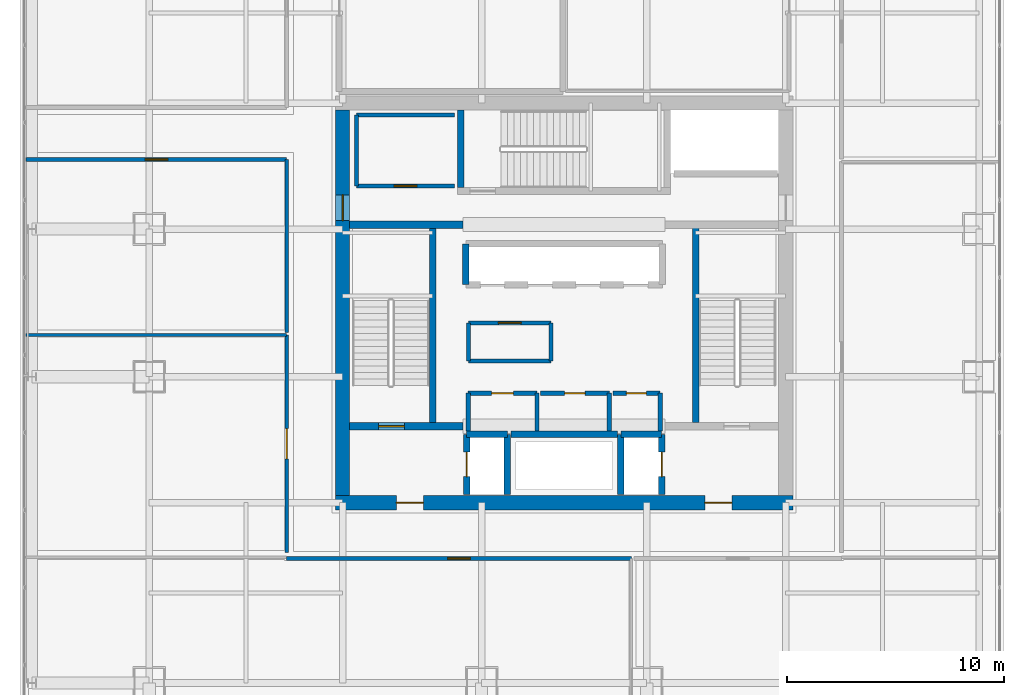
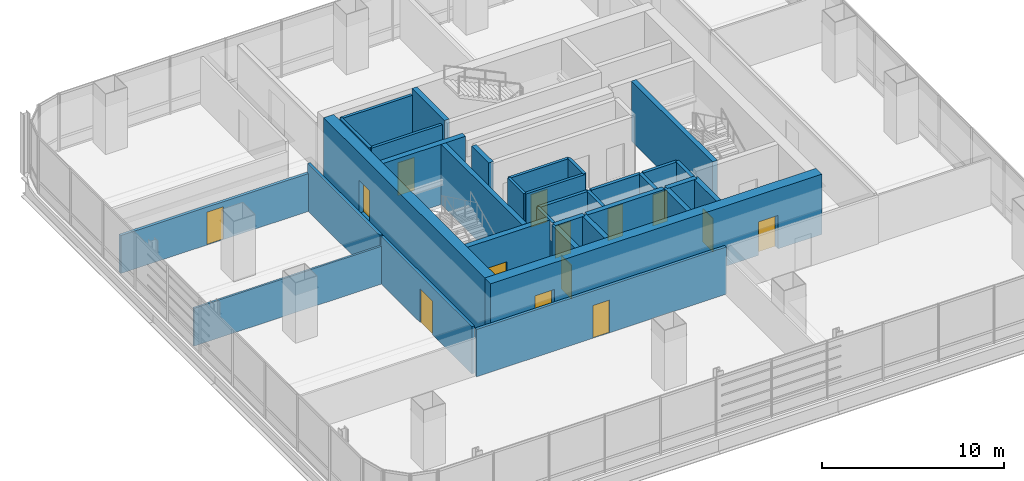
# One storey, part 29 of 36: 34 walls, 14 doors, 14 openings.
"""IFC4 building model written with IfcOpenShell, lengths in metres."""

from ifc_helpers import new_model, si_unit, direction, frame, frame_2d, origin, place, context, subcontext, project, spatial, rectangle, extrude, material, layer, layer_set, type_object, element, fill, save


model = new_model("IFC4")

# Units and contexts
model_context = context("Model", 3, precision=1e-05, world=origin(), true_north=direction((0.0, 1.0)))
body_context = subcontext(model_context, "Body", "Model", "MODEL_VIEW")
ifc_project = project(units=[si_unit("LENGTHUNIT", "METRE"), si_unit("AREAUNIT", "SQUARE_METRE"), si_unit("VOLUMEUNIT", "CUBIC_METRE"), si_unit("PLANEANGLEUNIT", "RADIAN"), si_unit("MASSUNIT", "GRAM", prefix="KILO")], contexts=[model_context])

# Site, building, storey
site_placement = place(None, origin())
site = spatial("IfcSite", under=ifc_project, at=site_placement, CompositionType="ELEMENT")
building_placement = place(site_placement, origin())
building = spatial("IfcBuilding", under=site, at=building_placement, Name="Punatoya Terracotta Tower", CompositionType="ELEMENT")
storey_placement = place(building_placement, frame((0.0, 0.0, 176.25)))
storey = spatial("IfcBuildingStorey", under=building, at=storey_placement, Name="L41", CompositionType="ELEMENT", Elevation=176.25)

# Wall, openings, doors
ifc_material_1 = material(Name="Concrete C60/75", Category="concrete")
ifc_layer_1 = layer(ifc_material_1, 0.64990234375)
ifc_layer_set_1 = layer_set([ifc_layer_1], Name="Concrete C60/75")
wall_type_1 = type_object("IfcWallType", Name="WL-COR-650", PredefinedType="SHEAR", material=ifc_layer_set_1)
wall_1_placement = place(storey_placement, frame((10.52490234375, -9.199951171875, 0.0), z_axis=(0.0, 0.0, 1.0), x_axis=(-1.0, 0.0, 0.0)))
wall_1 = element("IfcWall", 1, at=wall_1_placement, inside=storey, type_object=wall_type_1, Name="L41 Core Shear Wall S", PredefinedType="SHEAR", context=body_context, shape_type="SweptSolid", body=[
    extrude(rectangle(XDim=21.0498046875, YDim=0.64990234375, at=frame_2d((10.52490234375, 0.0))), origin(), (0.0, 0.0, 1.0), 4.050048828125),
])
opening_1_placement = place(wall_1_placement, frame((2.800048828125, 0.0, 0.0)))
opening_1 = element("IfcOpeningElement", 2, at=opening_1_placement, cuts=wall_1, Name="Opening FD-L1", PredefinedType="OPENING", context=body_context, shape_type="SweptSolid", body=[
    extrude(rectangle(XDim=1.25, YDim=2.25, at=frame_2d((0.625, 1.125))), frame((0.0, 0.3349609375, 0.0), z_axis=(0.0, -1.0, 0.0), x_axis=(1.0, 0.0, 0.0)), (0.0, 0.0, 1.0), 0.669921875),
])
opening_2_placement = place(wall_1_placement, frame((17.0, 0.0, 0.0)))
opening_2 = element("IfcOpeningElement", 3, at=opening_2_placement, cuts=wall_1, Name="Opening FD-L1", PredefinedType="OPENING", context=body_context, shape_type="SweptSolid", body=[
    extrude(rectangle(XDim=1.25, YDim=2.25, at=frame_2d((0.625, 1.125))), frame((0.0, 0.3349609375, 0.0), z_axis=(0.0, -1.0, 0.0), x_axis=(1.0, 0.0, 0.0)), (0.0, 0.0, 1.0), 0.669921875),
])
ifc_material_2 = material(Name="Galvanised Steel Smokeproof Fire Door", Category="steel")
door_type_1 = type_object("IfcDoorType", Name="DR-FFL-1250", OperationType="NOTDEFINED", PredefinedType="DOOR", material=ifc_material_2)
door_1_placement = place(opening_1_placement, origin())
door_1 = element("IfcDoor", 4, at=door_1_placement, inside=storey, type_object=door_type_1, Name="L41 East Firefighting Lobby Corridor Fire Door", OperationType="SINGLE_SWING_LEFT", OverallHeight=2.25, OverallWidth=1.25, PredefinedType="DOOR", context=body_context, shape_type="SweptSolid", body=[
    extrude(rectangle(XDim=1.25, YDim=2.25, at=frame_2d((0.625, 1.125))), frame((0.0, 0.02490234375, 0.0), z_axis=(0.0, -1.0, 0.0), x_axis=(1.0, 0.0, 0.0)), (0.0, 0.0, 1.0), 0.050048828125),
])
fill(opening_1, door_1)
door_2_placement = place(opening_2_placement, origin())
door_2 = element("IfcDoor", 5, at=door_2_placement, inside=storey, type_object=door_type_1, Name="L41 West Firefighting Lobby Corridor Fire Door", OperationType="SINGLE_SWING_RIGHT", OverallHeight=2.25, OverallWidth=1.25, PredefinedType="DOOR", context=body_context, shape_type="SweptSolid", body=[
    extrude(rectangle(XDim=1.25, YDim=2.25, at=frame_2d((0.625, 1.125))), frame((0.0, 0.02490234375, 0.0), z_axis=(0.0, -1.0, 0.0), x_axis=(1.0, 0.0, 0.0)), (0.0, 0.0, 1.0), 0.050048828125),
])
fill(opening_2, door_2)

# Wall, opening, door
wall_2_placement = place(storey_placement, frame((-10.199951171875, -8.875, 0.0), z_axis=(0.0, 0.0, 1.0), x_axis=(0.0, 1.0, 0.0)))
wall_2 = element("IfcWall", 6, at=wall_2_placement, inside=storey, type_object=wall_type_1, Name="L41 Core Shear Wall W", PredefinedType="SHEAR", context=body_context, shape_type="SweptSolid", body=[
    extrude(rectangle(XDim=17.75, YDim=0.64990234375, at=frame_2d((8.875, 0.0))), origin(), (0.0, 0.0, 1.0), 4.050048828125),
])
opening_3_placement = place(wall_2_placement, frame((12.6650390625, 0.0, 0.0)))
opening_3 = element("IfcOpeningElement", 7, at=opening_3_placement, cuts=wall_2, Name="Opening SD-01", PredefinedType="OPENING", context=body_context, shape_type="SweptSolid", body=[
    extrude(rectangle(XDim=1.179931640625, YDim=2.199951171875, at=frame_2d((0.58984375, 1.10009765625))), frame((0.0, 0.3349609375, 0.0), z_axis=(0.0, -1.0, 0.0), x_axis=(1.0, 0.0, 0.0)), (0.0, 0.0, 1.0), 0.669921875),
])
ifc_material_3 = material(Name="Galvanised Steel Pressurized Stair Fire Door", Category="steel")
door_type_2 = type_object("IfcDoorType", Name="DR-STR-1180", OperationType="NOTDEFINED", PredefinedType="DOOR", material=ifc_material_3)
door_3_placement = place(opening_3_placement, origin())
door_3 = element("IfcDoor", 8, at=door_3_placement, inside=storey, type_object=door_type_2, Name="L41 Central Lift Lobby West Fire Door", OperationType="SINGLE_SWING_LEFT", OverallHeight=2.199951171875, OverallWidth=1.179931640625, PredefinedType="DOOR", context=body_context, shape_type="SweptSolid", body=[
    extrude(rectangle(XDim=1.179931640625, YDim=2.199951171875, at=frame_2d((0.58984375, 1.10009765625))), frame((0.0, 0.02490234375, 0.0), z_axis=(0.0, -1.0, 0.0), x_axis=(1.0, 0.0, 0.0)), (0.0, 0.0, 1.0), 0.050048828125),
])
fill(opening_3, door_3)

# Wall
ifc_material_4 = material(Name="Gypsum Fireboard + Steel Stud", Category="steel")
ifc_layer_2 = layer(ifc_material_4, 0.179931640625)
ifc_layer_set_2 = layer_set([ifc_layer_2], Name="Gypsum Fireboard + Steel Stud")
wall_type_2 = type_object("IfcWallType", Name="WL-CORR-180", PredefinedType="PARTITIONING", material=ifc_layer_set_2)
wall_3_placement = place(storey_placement, frame((-0.60009765625, -2.679931640625, 0.0), z_axis=(0.0, 0.0, 1.0), x_axis=(0.0, 1.0, 0.0)))
element("IfcWall", 9, at=wall_3_placement, inside=storey, type_object=wall_type_2, Name="L41 West Core Archive Office Partition 08", PredefinedType="PARTITIONING", context=body_context, shape_type="SweptSolid", body=[
    extrude(rectangle(XDim=1.760009765625, YDim=0.179931640625, at=frame_2d((0.8798828125, 0.0))), origin(), (0.0, 0.0, 1.0), 3.830078125),
])

# Wall, opening, door
wall_4_placement = place(storey_placement, frame((-0.60009765625, -0.919921875, 0.0), z_axis=(0.0, 0.0, 1.0), x_axis=(-1.0, 0.0, 0.0)))
wall_4 = element("IfcWall", 10, at=wall_4_placement, inside=storey, type_object=wall_type_2, Name="L41 West Core Archive Office Partition 09", PredefinedType="PARTITIONING", context=body_context, shape_type="SweptSolid", body=[
    extrude(rectangle(XDim=3.7998046875, YDim=0.179931640625, at=frame_2d((1.89990234375, 0.0))), origin(), (0.0, 0.0, 1.0), 3.830078125),
])
opening_4_placement = place(wall_4_placement, frame((1.375, 0.0, 0.0)))
opening_4 = element("IfcOpeningElement", 11, at=opening_4_placement, cuts=wall_4, Name="Opening OD-01", PredefinedType="OPENING", context=body_context, shape_type="SweptSolid", body=[
    extrude(rectangle(XDim=1.050048828125, YDim=2.199951171875, at=frame_2d((0.52490234375, 1.10009765625))), frame((0.0, 0.099853515625, 0.0), z_axis=(0.0, -1.0, 0.0), x_axis=(1.0, 0.0, 0.0)), (0.0, 0.0, 1.0), 0.199951171875),
])
ifc_material_5 = material(Name="Bengal Teak Solid-Core Leaf")
door_type_3 = type_object("IfcDoorType", Name="DR-OFF-1050", OperationType="NOTDEFINED", PredefinedType="DOOR", material=ifc_material_5)
door_4_placement = place(opening_4_placement, origin())
door_4 = element("IfcDoor", 12, at=door_4_placement, inside=storey, type_object=door_type_3, Name="L41 West Archive Office Door", OperationType="SINGLE_SWING_LEFT", OverallHeight=2.199951171875, OverallWidth=1.050048828125, PredefinedType="DOOR", context=body_context, shape_type="SweptSolid", body=[
    extrude(rectangle(XDim=1.050048828125, YDim=2.199951171875, at=frame_2d((0.52490234375, 1.10009765625))), frame((0.0, 0.02490234375, 0.0), z_axis=(0.0, -1.0, 0.0), x_axis=(1.0, 0.0, 0.0)), (0.0, 0.0, 1.0), 0.050048828125),
])
fill(opening_4, door_4)

# Walls
wall_5_placement = place(storey_placement, frame((-4.39990234375, -0.919921875, 0.0), z_axis=(0.0, 0.0, 1.0), x_axis=(0.0, -1.0, 0.0)))
element("IfcWall", 13, at=wall_5_placement, inside=storey, type_object=wall_type_2, Name="L41 West Core Archive Office Partition 10", PredefinedType="PARTITIONING", context=body_context, shape_type="SweptSolid", body=[
    extrude(rectangle(XDim=1.760009765625, YDim=0.179931640625, at=frame_2d((0.8798828125, 0.0))), origin(), (0.0, 0.0, 1.0), 3.830078125),
])
wall_6_placement = place(storey_placement, frame((-4.39990234375, -2.679931640625, 0.0), z_axis=(0.0, 0.0, 1.0), x_axis=(1.0, 0.0, 0.0)))
element("IfcWall", 14, at=wall_6_placement, inside=storey, type_object=wall_type_2, Name="L41 West Core Archive Office Partition 11", PredefinedType="PARTITIONING", context=body_context, shape_type="SweptSolid", body=[
    extrude(rectangle(XDim=3.7998046875, YDim=0.179931640625, at=frame_2d((1.89990234375, 0.0))), origin(), (0.0, 0.0, 1.0), 3.830078125),
])
wall_7_placement = place(storey_placement, frame((-5.050048828125, 8.64990234375, 0.0), z_axis=(0.0, 0.0, 1.0), x_axis=(-1.0, 0.0, 0.0)))
element("IfcWall", 15, at=wall_7_placement, inside=storey, type_object=wall_type_2, Name="L41 West Core Records Office Partition 12", PredefinedType="PARTITIONING", context=body_context, shape_type="SweptSolid", body=[
    extrude(rectangle(XDim=4.5, YDim=0.179931640625, at=frame_2d((2.25, 0.0))), origin(), (0.0, 0.0, 1.0), 3.830078125),
])
wall_8_placement = place(storey_placement, frame((-9.550048828125, 8.64990234375, 0.0), z_axis=(0.0, 0.0, 1.0), x_axis=(0.0, -1.0, 0.0)))
element("IfcWall", 16, at=wall_8_placement, inside=storey, type_object=wall_type_2, Name="L41 West Core Records Office Partition 13", PredefinedType="PARTITIONING", context=body_context, shape_type="SweptSolid", body=[
    extrude(rectangle(XDim=3.27001953125, YDim=0.179931640625, at=frame_2d((1.635009765625, 0.0))), origin(), (0.0, 0.0, 1.0), 3.830078125),
])

# Wall, opening, door
wall_9_placement = place(storey_placement, frame((-9.550048828125, 5.3798828125, 0.0), z_axis=(0.0, 0.0, 1.0), x_axis=(1.0, 0.0, 0.0)))
wall_9 = element("IfcWall", 17, at=wall_9_placement, inside=storey, type_object=wall_type_2, Name="L41 West Core Records Office Partition 14", PredefinedType="PARTITIONING", context=body_context, shape_type="SweptSolid", body=[
    extrude(rectangle(XDim=4.5, YDim=0.179931640625, at=frame_2d((2.25, 0.0))), origin(), (0.0, 0.0, 1.0), 3.830078125),
])
opening_5_placement = place(wall_9_placement, frame((1.72509765625, 0.0, 0.0)))
opening_5 = element("IfcOpeningElement", 18, at=opening_5_placement, cuts=wall_9, Name="Opening OD-01", PredefinedType="OPENING", context=body_context, shape_type="SweptSolid", body=[
    extrude(rectangle(XDim=1.050048828125, YDim=2.199951171875, at=frame_2d((0.52490234375, 1.10009765625))), frame((0.0, 0.099853515625, 0.0), z_axis=(0.0, -1.0, 0.0), x_axis=(1.0, 0.0, 0.0)), (0.0, 0.0, 1.0), 0.199951171875),
])
door_5_placement = place(opening_5_placement, origin())
door_5 = element("IfcDoor", 19, at=door_5_placement, inside=storey, type_object=door_type_3, Name="L41 West Records Office Door", OperationType="SINGLE_SWING_RIGHT", OverallHeight=2.199951171875, OverallWidth=1.050048828125, PredefinedType="DOOR", context=body_context, shape_type="SweptSolid", body=[
    extrude(rectangle(XDim=1.050048828125, YDim=2.199951171875, at=frame_2d((0.52490234375, 1.10009765625))), frame((0.0, 0.02490234375, 0.0), z_axis=(0.0, -1.0, 0.0), x_axis=(1.0, 0.0, 0.0)), (0.0, 0.0, 1.0), 0.050048828125),
])
fill(opening_5, door_5)

wall_10_placement = place(storey_placement, frame((-12.77001953125, -11.77001953125, 0.0), z_axis=(0.0, 0.0, 1.0), x_axis=(1.0, 0.0, 0.0)))
wall_10 = element("IfcWall", 20, at=wall_10_placement, inside=storey, type_object=wall_type_2, Name="L41 Staff Wellness Studio Partition 16", PredefinedType="PARTITIONING", context=body_context, shape_type="SweptSolid", body=[
    extrude(rectangle(XDim=15.865966796875, YDim=0.179931640625, at=frame_2d((7.93310546875, 0.0))), origin(), (0.0, 0.0, 1.0), 3.174072265625),
])
opening_6_placement = place(wall_10_placement, frame((7.407958984375, 0.0, 0.0)))
opening_6 = element("IfcOpeningElement", 21, at=opening_6_placement, cuts=wall_10, Name="Opening OD-01", PredefinedType="OPENING", context=body_context, shape_type="SweptSolid", body=[
    extrude(rectangle(XDim=1.050048828125, YDim=2.199951171875, at=frame_2d((0.52490234375, 1.10009765625))), frame((0.0, 0.099853515625, 0.0), z_axis=(0.0, -1.0, 0.0), x_axis=(1.0, 0.0, 0.0)), (0.0, 0.0, 1.0), 0.199951171875),
])
door_6_placement = place(opening_6_placement, origin())
door_6 = element("IfcDoor", 22, at=door_6_placement, inside=storey, type_object=door_type_3, Name="L41 Staff Wellness Studio Door", OperationType="SINGLE_SWING_LEFT", OverallHeight=2.199951171875, OverallWidth=1.050048828125, PredefinedType="DOOR", context=body_context, shape_type="SweptSolid", body=[
    extrude(rectangle(XDim=1.050048828125, YDim=2.199951171875, at=frame_2d((0.52490234375, 1.10009765625))), frame((0.0, 0.02490234375, 0.0), z_axis=(0.0, -1.0, 0.0), x_axis=(1.0, 0.0, 0.0)), (0.0, 0.0, 1.0), 0.050048828125),
])
fill(opening_6, door_6)

wall_11_placement = place(storey_placement, frame((-12.77001953125, -1.47900390625, 0.0), z_axis=(0.0, 0.0, 1.0), x_axis=(0.0, -1.0, 0.0)))
wall_11 = element("IfcWall", 23, at=wall_11_placement, inside=storey, type_object=wall_type_2, Name="L41 Open-Plan Cultural History Classroom Partition 21", PredefinedType="PARTITIONING", context=body_context, shape_type="SweptSolid", body=[
    extrude(rectangle(XDim=10.010986328125, YDim=0.179931640625, at=frame_2d((5.00537109375, 0.0))), origin(), (0.0, 0.0, 1.0), 3.174072265625),
])
opening_7_placement = place(wall_11_placement, frame((4.305419921875, 0.0, 0.0)))
opening_7 = element("IfcOpeningElement", 24, at=opening_7_placement, cuts=wall_11, Name="Opening BD-01", PredefinedType="OPENING", context=body_context, shape_type="SweptSolid", body=[
    extrude(rectangle(XDim=1.39990234375, YDim=2.25, at=frame_2d((0.699951171875, 1.125))), frame((0.0, 0.099853515625, 0.0), z_axis=(0.0, -1.0, 0.0), x_axis=(1.0, 0.0, 0.0)), (0.0, 0.0, 1.0), 0.199951171875),
])
ifc_material_6 = material(Name="Bengal Teak Acoustic Leaf")
door_type_4 = type_object("IfcDoorType", Name="DR-BRD-1400", OperationType="NOTDEFINED", PredefinedType="DOOR", material=ifc_material_6)
door_7_placement = place(opening_7_placement, origin())
door_7 = element("IfcDoor", 25, at=door_7_placement, inside=storey, type_object=door_type_4, Name="L41 Open-Plan Cultural History Classroom Door", OperationType="SINGLE_SWING_LEFT", OverallHeight=2.25, OverallWidth=1.39990234375, PredefinedType="DOOR", context=body_context, shape_type="SweptSolid", body=[
    extrude(rectangle(XDim=1.39990234375, YDim=2.25, at=frame_2d((0.699951171875, 1.125))), frame((0.0, 0.02490234375, 0.0), z_axis=(0.0, -1.0, 0.0), x_axis=(1.0, 0.0, 0.0)), (0.0, 0.0, 1.0), 0.050048828125),
])
fill(opening_7, door_7)

wall_12_placement = place(storey_placement, frame((-24.77001953125, 6.60009765625, 0.0), z_axis=(0.0, 0.0, 1.0), x_axis=(1.0, 0.0, 0.0)))
wall_12 = element("IfcWall", 26, at=wall_12_placement, inside=storey, type_object=wall_type_2, Name="L41 Open-Plan Nutrition Tea Pantry Partition 24", PredefinedType="PARTITIONING", context=body_context, shape_type="SweptSolid", body=[
    extrude(rectangle(XDim=12.0, YDim=0.179931640625, at=frame_2d((6.0, 0.0))), origin(), (0.0, 0.0, 1.0), 2.5439453125),
])
opening_8_placement = place(wall_12_placement, frame((5.47509765625, 0.0, 0.0)))
opening_8 = element("IfcOpeningElement", 27, at=opening_8_placement, cuts=wall_12, Name="Opening OD-01", PredefinedType="OPENING", context=body_context, shape_type="SweptSolid", body=[
    extrude(rectangle(XDim=1.050048828125, YDim=2.199951171875, at=frame_2d((0.52490234375, 1.10009765625))), frame((0.0, 0.099853515625, 0.0), z_axis=(0.0, -1.0, 0.0), x_axis=(1.0, 0.0, 0.0)), (0.0, 0.0, 1.0), 0.199951171875),
])
door_8_placement = place(opening_8_placement, origin())
door_8 = element("IfcDoor", 28, at=door_8_placement, inside=storey, type_object=door_type_3, Name="L41 Open-Plan Nutrition Tea Pantry Door", OperationType="SINGLE_SWING_LEFT", OverallHeight=2.199951171875, OverallWidth=1.050048828125, PredefinedType="DOOR", context=body_context, shape_type="SweptSolid", body=[
    extrude(rectangle(XDim=1.050048828125, YDim=2.199951171875, at=frame_2d((0.52490234375, 1.10009765625))), frame((0.0, 0.02490234375, 0.0), z_axis=(0.0, -1.0, 0.0), x_axis=(1.0, 0.0, 0.0)), (0.0, 0.0, 1.0), 0.050048828125),
])
fill(opening_8, door_8)

# Walls
wall_13_placement = place(storey_placement, frame((-12.77001953125, 6.60009765625, 0.0), z_axis=(0.0, 0.0, 1.0), x_axis=(0.0, -1.0, 0.0)))
element("IfcWall", 29, at=wall_13_placement, inside=storey, type_object=wall_type_2, Name="L41 Open-Plan Nutrition Tea Pantry Partition 25", PredefinedType="PARTITIONING", context=body_context, shape_type="SweptSolid", body=[
    extrude(rectangle(XDim=7.958984375, YDim=0.179931640625, at=frame_2d((3.9794921875, 0.0))), origin(), (0.0, 0.0, 1.0), 3.174072265625),
])
ifc_material_7 = material(Name="Concrete C40/50", Category="concrete")
ifc_layer_3 = layer(ifc_material_7, 0.199951171875)
ifc_layer_set_3 = layer_set([ifc_layer_3], Name="Concrete C40/50")
wall_type_3 = type_object("IfcWallType", Name="WL-INT-200", PredefinedType="SOLIDWALL", material=ifc_layer_set_3)
wall_14_placement = place(storey_placement, frame((-1.25, -5.89990234375, 0.0), z_axis=(0.0, 0.0, 1.0), x_axis=(0.0, 1.0, 0.0)))
element("IfcWall", 30, at=wall_14_placement, inside=storey, type_object=wall_type_3, Name="L41 Accessible Universal Washroom Partition 01", PredefinedType="SOLIDWALL", context=body_context, shape_type="SweptSolid", body=[
    extrude(rectangle(XDim=1.739990234375, YDim=0.199951171875, at=frame_2d((0.8701171875, 0.0))), origin(), (0.0, 0.0, 1.0), 3.830078125),
])

# Wall, opening, door
wall_15_placement = place(storey_placement, frame((-1.25, -4.159912109375, 0.0), z_axis=(0.0, 0.0, 1.0), x_axis=(-1.0, 0.0, 0.0)))
wall_15 = element("IfcWall", 31, at=wall_15_placement, inside=storey, type_object=wall_type_3, Name="L41 Accessible Universal Washroom Partition 02", PredefinedType="SOLIDWALL", context=body_context, shape_type="SweptSolid", body=[
    extrude(rectangle(XDim=3.169921875, YDim=0.199951171875, at=frame_2d((1.5849609375, 0.0))), origin(), (0.0, 0.0, 1.0), 3.830078125),
])
opening_9_placement = place(wall_15_placement, frame((1.0849609375, 0.0, 0.0)))
opening_9 = element("IfcOpeningElement", 32, at=opening_9_placement, cuts=wall_15, Name="Opening AWD-1", PredefinedType="OPENING", context=body_context, shape_type="SweptSolid", body=[
    extrude(rectangle(XDim=1.0, YDim=2.14990234375, at=frame_2d((0.5, 1.074951171875))), frame((0.0, 0.10986328125, 0.0), z_axis=(0.0, -1.0, 0.0), x_axis=(1.0, 0.0, 0.0)), (0.0, 0.0, 1.0), 0.219970703125),
])
ifc_material_8 = material(Name="Bengal Teak Accessible WC Leaf")
door_type_5 = type_object("IfcDoorType", Name="DR-ACC-1000", OperationType="NOTDEFINED", PredefinedType="DOOR", material=ifc_material_8)
door_9_placement = place(opening_9_placement, origin())
door_9 = element("IfcDoor", 33, at=door_9_placement, inside=storey, type_object=door_type_5, Name="L41 Accessible Universal Washroom Door", OperationType="SINGLE_SWING_RIGHT", OverallHeight=2.14990234375, OverallWidth=1.0, PredefinedType="DOOR", context=body_context, shape_type="SweptSolid", body=[
    extrude(rectangle(XDim=1.0, YDim=2.14990234375, at=frame_2d((0.5, 1.074951171875))), frame((0.0, 0.02490234375, 0.0), z_axis=(0.0, -1.0, 0.0), x_axis=(1.0, 0.0, 0.0)), (0.0, 0.0, 1.0), 0.050048828125),
])
fill(opening_9, door_9)

# Walls
for number, where, z_axis, x_axis, name in (
    (34, (-4.419921875, -4.159912109375, 0.0), (0.0, 0.0, 1.0), (0.0, -1.0, 0.0), "L41 Accessible Universal Washroom Partition 03"),
    (35, (2.080078125, -5.89990234375, 0.0), (0.0, 0.0, 1.0), (0.0, 1.0, 0.0), "L41 All-Gender Universal Washroom Partition 04"),
):
    element("IfcWall", number, at=place(storey_placement, frame(where, z_axis=z_axis, x_axis=x_axis)), inside=storey, type_object=wall_type_3, Name=name, PredefinedType="SOLIDWALL", context=body_context, shape_type="SweptSolid", body=[
        extrude(rectangle(XDim=1.739990234375, YDim=0.199951171875, at=frame_2d((0.8701171875, 0.0))), origin(), (0.0, 0.0, 1.0), 3.830078125),
    ])

# Wall, opening, door
wall_16_placement = place(storey_placement, frame((2.080078125, -4.159912109375, 0.0), z_axis=(0.0, 0.0, 1.0), x_axis=(-1.0, 0.0, 0.0)))
wall_16 = element("IfcWall", 36, at=wall_16_placement, inside=storey, type_object=wall_type_3, Name="L41 All-Gender Universal Washroom Partition 05", PredefinedType="SOLIDWALL", context=body_context, shape_type="SweptSolid", body=[
    extrude(rectangle(XDim=3.170166015625, YDim=0.199951171875, at=frame_2d((1.5849609375, 0.0))), origin(), (0.0, 0.0, 1.0), 3.830078125),
])
opening_10_placement = place(wall_16_placement, frame((1.110107421875, 0.0, 0.0)))
opening_10 = element("IfcOpeningElement", 37, at=opening_10_placement, cuts=wall_16, Name="Opening WD-01", PredefinedType="OPENING", context=body_context, shape_type="SweptSolid", body=[
    extrude(rectangle(XDim=0.949951171875, YDim=2.14990234375, at=frame_2d((0.47509765625, 1.074951171875))), frame((0.0, 0.10986328125, 0.0), z_axis=(0.0, -1.0, 0.0), x_axis=(1.0, 0.0, 0.0)), (0.0, 0.0, 1.0), 0.219970703125),
])
ifc_material_9 = material(Name="Moisture-Resistant Laminate Timber Leaf", Category="wood")
door_type_6 = type_object("IfcDoorType", Name="DR-WC-950", OperationType="NOTDEFINED", PredefinedType="DOOR", material=ifc_material_9)
door_10_placement = place(opening_10_placement, origin())
door_10 = element("IfcDoor", 38, at=door_10_placement, inside=storey, type_object=door_type_6, Name="L41 All-Gender Universal Washroom Door", OperationType="SINGLE_SWING_LEFT", OverallHeight=2.14990234375, OverallWidth=0.949951171875, PredefinedType="DOOR", context=body_context, shape_type="SweptSolid", body=[
    extrude(rectangle(XDim=0.949951171875, YDim=2.14990234375, at=frame_2d((0.47509765625, 1.074951171875))), frame((0.0, 0.02490234375, 0.0), z_axis=(0.0, -1.0, 0.0), x_axis=(1.0, 0.0, 0.0)), (0.0, 0.0, 1.0), 0.050048828125),
])
fill(opening_10, door_10)

# Wall
wall_17_placement = place(storey_placement, frame((4.419921875, -5.89990234375, 0.0), z_axis=(0.0, 0.0, 1.0), x_axis=(0.0, 1.0, 0.0)))
element("IfcWall", 39, at=wall_17_placement, inside=storey, type_object=wall_type_3, Name="L41 Core Electrical Switchgear Room Partition 06", PredefinedType="SOLIDWALL", context=body_context, shape_type="SweptSolid", body=[
    extrude(rectangle(XDim=1.739990234375, YDim=0.199951171875, at=frame_2d((0.8701171875, 0.0))), origin(), (0.0, 0.0, 1.0), 3.830078125),
])

# Wall, opening, door
wall_18_placement = place(storey_placement, frame((4.419921875, -4.159912109375, 0.0), z_axis=(0.0, 0.0, 1.0), x_axis=(-1.0, 0.0, 0.0)))
wall_18 = element("IfcWall", 40, at=wall_18_placement, inside=storey, type_object=wall_type_3, Name="L41 Core Electrical Switchgear Room Partition 07", PredefinedType="SOLIDWALL", context=body_context, shape_type="SweptSolid", body=[
    extrude(rectangle(XDim=2.179931640625, YDim=0.199951171875, at=frame_2d((1.08984375, 0.0))), origin(), (0.0, 0.0, 1.0), 3.830078125),
])
opening_11_placement = place(wall_18_placement, frame((0.6298828125, 0.0, 0.0)))
opening_11 = element("IfcOpeningElement", 41, at=opening_11_placement, cuts=wall_18, Name="Opening FD-R1", PredefinedType="OPENING", context=body_context, shape_type="SweptSolid", body=[
    extrude(rectangle(XDim=0.919921875, YDim=2.10009765625, at=frame_2d((0.4599609375, 1.050048828125))), frame((0.0, 0.10986328125, 0.0), z_axis=(0.0, -1.0, 0.0), x_axis=(1.0, 0.0, 0.0)), (0.0, 0.0, 1.0), 0.219970703125),
])
ifc_material_10 = material(Name="Galvanised Steel Riser Fire Access Door", Category="steel")
door_type_7 = type_object("IfcDoorType", Name="DR-RSR-920", OperationType="NOTDEFINED", PredefinedType="DOOR", material=ifc_material_10)
door_11_placement = place(opening_11_placement, origin())
door_11 = element("IfcDoor", 42, at=door_11_placement, inside=storey, type_object=door_type_7, Name="L41 Core Electrical Switchgear Room Fire Door", OperationType="SINGLE_SWING_RIGHT", OverallHeight=2.10009765625, OverallWidth=0.919921875, PredefinedType="DOOR", context=body_context, shape_type="SweptSolid", body=[
    extrude(rectangle(XDim=0.919921875, YDim=2.10009765625, at=frame_2d((0.4599609375, 1.050048828125))), frame((0.0, 0.02490234375, 0.0), z_axis=(0.0, -1.0, 0.0), x_axis=(1.0, 0.0, 0.0)), (0.0, 0.0, 1.0), 0.050048828125),
])
fill(opening_11, door_11)

# Walls
ifc_material_11 = material(Name="Gypsum Partition + Steel Stud", Category="steel")
ifc_layer_4 = layer(ifc_material_11, 0.1201171875)
ifc_layer_set_4 = layer_set([ifc_layer_4], Name="Gypsum Partition + Steel Stud")
wall_type_4 = type_object("IfcWallType", Name="WL-OFF-120", PredefinedType="PARTITIONING", material=ifc_layer_set_4)
wall_19_placement = place(storey_placement, frame((-24.77001953125, -1.47900390625, 0.0), z_axis=(0.0, 0.0, 1.0), x_axis=(1.0, 0.0, 0.0)))
element("IfcWall", 43, at=wall_19_placement, inside=storey, type_object=wall_type_4, Name="L41 Open-Plan Cultural History Classroom Partition 20", PredefinedType="PARTITIONING", context=body_context, shape_type="SweptSolid", body=[
    extrude(rectangle(XDim=12.0, YDim=0.1201171875, at=frame_2d((6.0, 0.0))), origin(), (0.0, 0.0, 1.0), 2.5439453125),
])
ifc_layer_5 = layer(ifc_material_7, 0.300048828125)
ifc_layer_set_5 = layer_set([ifc_layer_5], Name="Concrete C40/50")
wall_type_5 = type_object("IfcWallType", Name="WL-SHF-300", PredefinedType="SOLIDWALL", material=ifc_layer_set_5)
for number, where, z_axis, x_axis, name in (
    (44, (-6.050048828125, -5.5, 0.0), (0.0, 0.0, 1.0), (0.0, 1.0, 0.0), "L41 Structural Stair Shaft Wall SW-ST1-E"),
    (45, (6.050048828125, 3.449951171875, 0.0), (0.0, 0.0, 1.0), (0.0, -1.0, 0.0), "L41 Structural Stair Shaft Wall SW-ST2-W"),
):
    element("IfcWall", number, at=place(storey_placement, frame(where, z_axis=z_axis, x_axis=x_axis)), inside=storey, type_object=wall_type_5, Name=name, PredefinedType="SOLIDWALL", context=body_context, shape_type="SweptSolid", body=[
        extrude(rectangle(XDim=8.949951171875, YDim=0.300048828125, at=frame_2d((4.47509765625, 0.0))), origin(), (0.0, 0.0, 1.0), 4.050048828125),
    ])
wall_20_placement = place(storey_placement, frame((-4.75, 5.300048828125, 0.0), z_axis=(0.0, 0.0, 1.0), x_axis=(0.0, 1.0, 0.0)))
element("IfcWall", 46, at=wall_20_placement, inside=storey, type_object=wall_type_5, Name="L41 Structural Stair Shaft Wall SW-ST3-W", PredefinedType="SOLIDWALL", context=body_context, shape_type="SweptSolid", body=[
    extrude(rectangle(XDim=3.574951171875, YDim=0.300048828125, at=frame_2d((1.78759765625, 0.0))), origin(), (0.0, 0.0, 1.0), 4.050048828125),
])

# Wall, opening, door
wall_21_placement = place(storey_placement, frame((-4.489990234375, -8.820068359375, 0.0), z_axis=(0.0, 0.0, 1.0), x_axis=(0.0, 1.0, 0.0)))
wall_21 = element("IfcWall", 47, at=wall_21_placement, inside=storey, type_object=wall_type_5, Name="L41 FFL-1 Front Hoistway Wall", PredefinedType="SOLIDWALL", context=body_context, shape_type="SweptSolid", body=[
    extrude(rectangle(XDim=2.77001953125, YDim=0.300048828125, at=frame_2d((1.385009765625, 0.0))), origin(), (0.0, 0.0, 1.0), 3.830078125),
])
opening_12_placement = place(wall_21_placement, frame((0.824951171875, 0.0, 0.0)))
opening_12 = element("IfcOpeningElement", 48, at=opening_12_placement, cuts=wall_21, Name="Opening LD-02", PredefinedType="OPENING", context=body_context, shape_type="SweptSolid", body=[
    extrude(rectangle(XDim=1.1201171875, YDim=2.25, at=frame_2d((0.56005859375, 1.125))), frame((0.0, 0.159912109375, 0.0), z_axis=(0.0, -1.0, 0.0), x_axis=(1.0, 0.0, 0.0)), (0.0, 0.0, 1.0), 0.320068359375),
])
ifc_material_12 = material(Name="Stainless Steel Lift Landing Door", Category="steel")
door_type_8 = type_object("IfcDoorType", Name="DR-LND-1120", OperationType="NOTDEFINED", PredefinedType="DOOR", material=ifc_material_12)
door_12_placement = place(opening_12_placement, origin())
door_12 = element("IfcDoor", 49, at=door_12_placement, inside=storey, type_object=door_type_8, Name="L41 Firefighting Lift FFL-1 Sliding Landing Door", OperationType="SLIDING_TO_LEFT", OverallHeight=2.25, OverallWidth=1.1201171875, PredefinedType="DOOR", context=body_context, shape_type="SweptSolid", body=[
    extrude(rectangle(XDim=1.1201171875, YDim=2.25, at=frame_2d((0.56005859375, 1.125))), frame((0.0, 0.02490234375, 0.0), z_axis=(0.0, -1.0, 0.0), x_axis=(1.0, 0.0, 0.0)), (0.0, 0.0, 1.0), 0.050048828125),
])
fill(opening_12, door_12)

# Walls
wall_22_placement = place(storey_placement, frame((-2.610107421875, -8.820068359375, 0.0), z_axis=(0.0, 0.0, 1.0), x_axis=(0.0, 1.0, 0.0)))
element("IfcWall", 50, at=wall_22_placement, inside=storey, type_object=wall_type_5, Name="L41 FFL-1 Rear Hoistway Wall", PredefinedType="SOLIDWALL", context=body_context, shape_type="SweptSolid", body=[
    extrude(rectangle(XDim=2.77001953125, YDim=0.300048828125, at=frame_2d((1.385009765625, 0.0))), origin(), (0.0, 0.0, 1.0), 3.830078125),
])
wall_23_placement = place(storey_placement, frame((-4.489990234375, -6.050048828125, 0.0), z_axis=(0.0, 0.0, 1.0), x_axis=(1.0, 0.0, 0.0)))
element("IfcWall", 51, at=wall_23_placement, inside=storey, type_object=wall_type_5, Name="L41 FFL-1 North Hoistway Wall", PredefinedType="SOLIDWALL", context=body_context, shape_type="SweptSolid", body=[
    extrude(rectangle(XDim=1.8798828125, YDim=0.300048828125, at=frame_2d((0.93994140625, 0.0))), origin(), (0.0, 0.0, 1.0), 3.830078125),
])

# Wall, opening, door
wall_24_placement = place(storey_placement, frame((4.489990234375, -8.820068359375, 0.0), z_axis=(0.0, 0.0, 1.0), x_axis=(0.0, 1.0, 0.0)))
wall_24 = element("IfcWall", 52, at=wall_24_placement, inside=storey, type_object=wall_type_5, Name="L41 FFL-2 Front Hoistway Wall", PredefinedType="SOLIDWALL", context=body_context, shape_type="SweptSolid", body=[
    extrude(rectangle(XDim=2.77001953125, YDim=0.300048828125, at=frame_2d((1.385009765625, 0.0))), origin(), (0.0, 0.0, 1.0), 3.830078125),
])
opening_13_placement = place(wall_24_placement, frame((0.824951171875, 0.0, 0.0)))
opening_13 = element("IfcOpeningElement", 53, at=opening_13_placement, cuts=wall_24, Name="Opening LD-02", PredefinedType="OPENING", context=body_context, shape_type="SweptSolid", body=[
    extrude(rectangle(XDim=1.1201171875, YDim=2.25, at=frame_2d((0.56005859375, 1.125))), frame((0.0, 0.159912109375, 0.0), z_axis=(0.0, -1.0, 0.0), x_axis=(1.0, 0.0, 0.0)), (0.0, 0.0, 1.0), 0.320068359375),
])
door_13_placement = place(opening_13_placement, origin())
door_13 = element("IfcDoor", 54, at=door_13_placement, inside=storey, type_object=door_type_8, Name="L41 Firefighting Lift FFL-2 Sliding Landing Door", OperationType="SLIDING_TO_RIGHT", OverallHeight=2.25, OverallWidth=1.1201171875, PredefinedType="DOOR", context=body_context, shape_type="SweptSolid", body=[
    extrude(rectangle(XDim=1.1201171875, YDim=2.25, at=frame_2d((0.56005859375, 1.125))), frame((0.0, 0.02490234375, 0.0), z_axis=(0.0, -1.0, 0.0), x_axis=(1.0, 0.0, 0.0)), (0.0, 0.0, 1.0), 0.050048828125),
])
fill(opening_13, door_13)

# Walls
wall_25_placement = place(storey_placement, frame((2.610107421875, -8.820068359375, 0.0), z_axis=(0.0, 0.0, 1.0), x_axis=(0.0, 1.0, 0.0)))
element("IfcWall", 55, at=wall_25_placement, inside=storey, type_object=wall_type_5, Name="L41 FFL-2 Rear Hoistway Wall", PredefinedType="SOLIDWALL", context=body_context, shape_type="SweptSolid", body=[
    extrude(rectangle(XDim=2.77001953125, YDim=0.300048828125, at=frame_2d((1.385009765625, 0.0))), origin(), (0.0, 0.0, 1.0), 3.830078125),
])
for number, where, z_axis, x_axis, name in (
    (56, (2.610107421875, -6.050048828125, 0.0), (0.0, 0.0, 1.0), (1.0, 0.0, 0.0), "L41 FFL-2 North Hoistway Wall"),
    (57, (-4.52001953125, 0.840087890625, 0.0), (0.0, 0.0, 1.0), (0.0, 1.0, 0.0), "L41 North Lift Bank West End Wall"),
):
    element("IfcWall", number, at=place(storey_placement, frame(where, z_axis=z_axis, x_axis=x_axis)), inside=storey, type_object=wall_type_5, Name=name, PredefinedType="SOLIDWALL", context=body_context, shape_type="SweptSolid", body=[
        extrude(rectangle(XDim=1.8798828125, YDim=0.300048828125, at=frame_2d((0.93994140625, 0.0))), origin(), (0.0, 0.0, 1.0), 3.830078125),
    ])
wall_26_placement = place(storey_placement, frame((-2.449951171875, -6.050048828125, 0.0), z_axis=(0.0, 0.0, 1.0), x_axis=(1.0, 0.0, 0.0)))
element("IfcWall", 58, at=wall_26_placement, inside=storey, type_object=wall_type_5, Name="L41 Observation Shuttle Rear Hoistway Wall", PredefinedType="SOLIDWALL", context=body_context, shape_type="SweptSolid", body=[
    extrude(rectangle(XDim=4.89990234375, YDim=0.300048828125, at=frame_2d((2.449951171875, 0.0))), origin(), (0.0, 0.0, 1.0), 3.830078125),
])

# Wall, opening, door
ifc_material_13 = material(Name="Concrete C50/60", Category="concrete")
ifc_layer_6 = layer(ifc_material_13, 0.35009765625)
ifc_layer_set_6 = layer_set([ifc_layer_6], Name="Concrete C50/60")
wall_type_6 = type_object("IfcWallType", Name="WL-SHF-350", PredefinedType="SOLIDWALL", material=ifc_layer_set_6)
wall_27_placement = place(storey_placement, frame((-9.875, -5.679931640625, 0.0), z_axis=(0.0, 0.0, 1.0), x_axis=(1.0, 0.0, 0.0)))
wall_27 = element("IfcWall", 59, at=wall_27_placement, inside=storey, type_object=wall_type_6, Name="L41 Core Web Wall CSW-L", PredefinedType="SOLIDWALL", context=body_context, shape_type="SweptSolid", body=[
    extrude(rectangle(XDim=5.22509765625, YDim=0.35009765625, at=frame_2d((2.612548828125, 0.0))), origin(), (0.0, 0.0, 1.0), 4.050048828125),
])
opening_14_placement = place(wall_27_placement, frame((1.3349609375, 0.0, 0.0)))
opening_14 = element("IfcOpeningElement", 60, at=opening_14_placement, cuts=wall_27, Name="Opening SD-01", PredefinedType="OPENING", context=body_context, shape_type="SweptSolid", body=[
    extrude(rectangle(XDim=1.179931640625, YDim=2.199951171875, at=frame_2d((0.58984375, 1.10009765625))), frame((0.0, 0.18505859375, 0.0), z_axis=(0.0, -1.0, 0.0), x_axis=(1.0, 0.0, 0.0)), (0.0, 0.0, 1.0), 0.3701171875),
])
door_14_placement = place(opening_14_placement, origin())
door_14 = element("IfcDoor", 61, at=door_14_placement, inside=storey, type_object=door_type_2, Name="L41 Stair ST-1 Smokeproof Lobby Fire Door", OperationType="SINGLE_SWING_LEFT", OverallHeight=2.199951171875, OverallWidth=1.179931640625, PredefinedType="DOOR", context=body_context, shape_type="SweptSolid", body=[
    extrude(rectangle(XDim=1.179931640625, YDim=2.199951171875, at=frame_2d((0.58984375, 1.10009765625))), frame((0.0, 0.02490234375, 0.0), z_axis=(0.0, -1.0, 0.0), x_axis=(1.0, 0.0, 0.0)), (0.0, 0.0, 1.0), 0.050048828125),
])
fill(opening_14, door_14)

# Wall
wall_28_placement = place(storey_placement, frame((-9.875, 3.60009765625, 0.0), z_axis=(0.0, 0.0, 1.0), x_axis=(1.0, 0.0, 0.0)))
element("IfcWall", 62, at=wall_28_placement, inside=storey, type_object=wall_type_6, Name="L41 Core Web Wall CNW-L", PredefinedType="SOLIDWALL", context=body_context, shape_type="SweptSolid", body=[
    extrude(rectangle(XDim=5.22509765625, YDim=0.35009765625, at=frame_2d((2.612548828125, 0.0))), origin(), (0.0, 0.0, 1.0), 4.050048828125),
])

save(model, "model.ifc")
